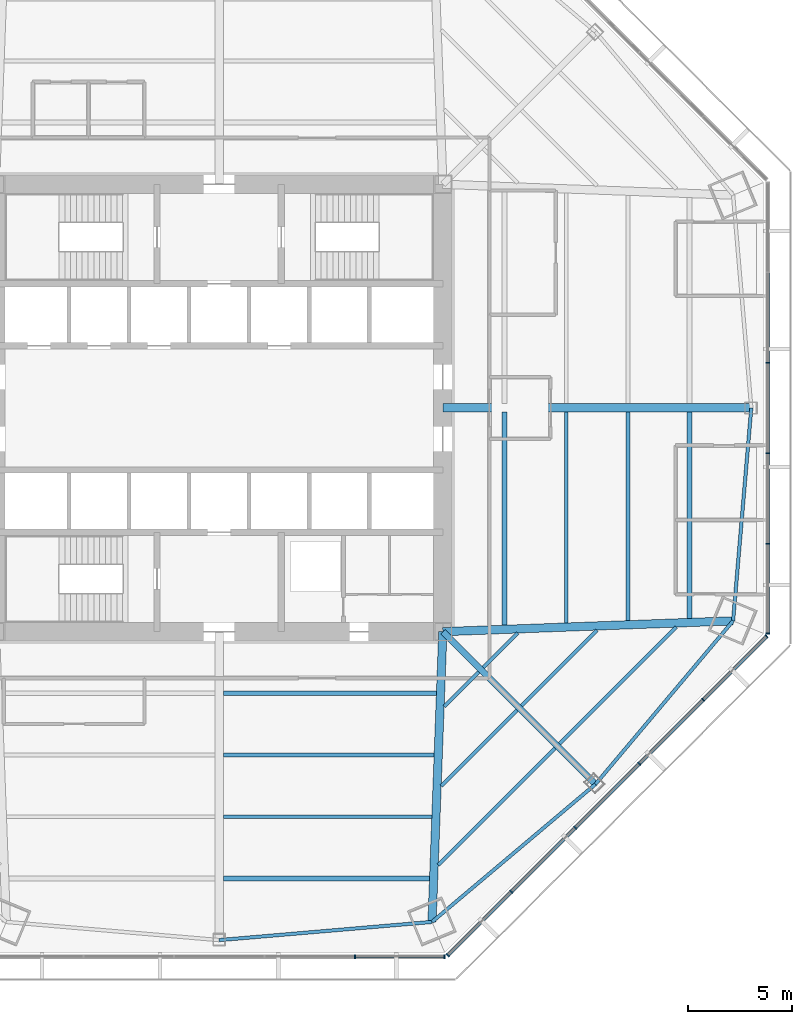
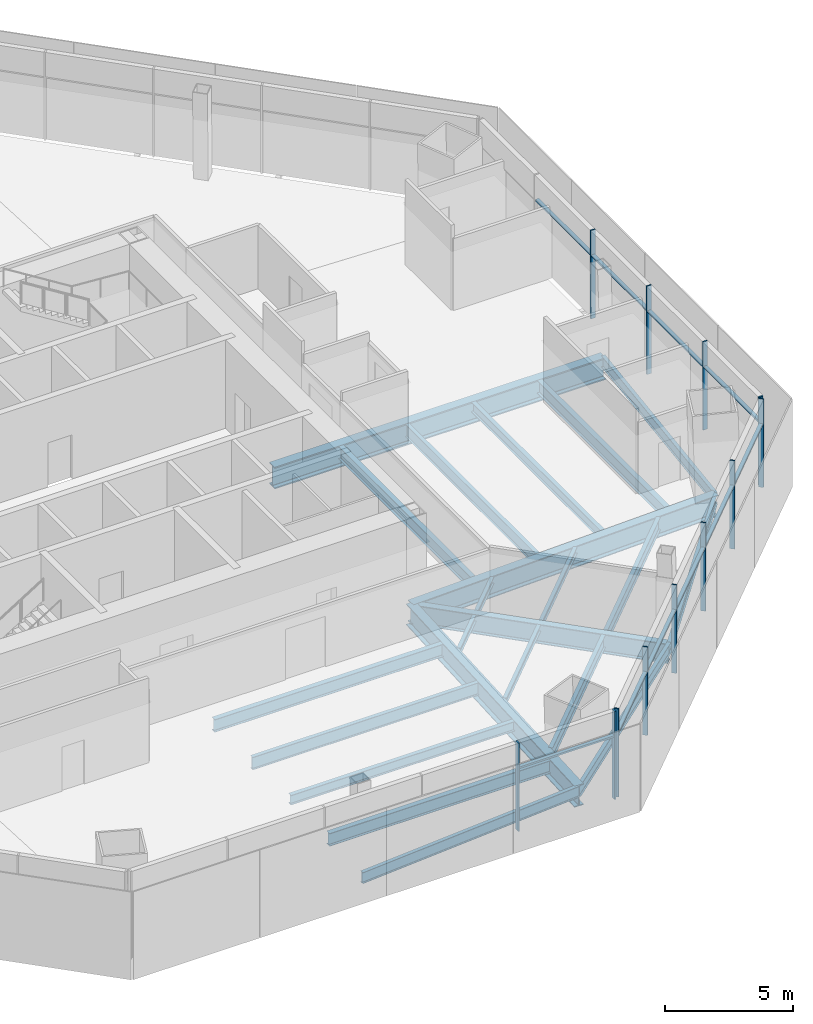
# One storey, part 4 of 14: 22 beams, 22 members, 3 elements without a shape of their own.
"""IFC4 building model written with IfcOpenShell, lengths in metres."""

import ifcopenshell
import ifcopenshell.guid

model = None  # the IFC model being written
_history = None  # IfcOwnerHistory: only IFC2X3 demands one
_inside = {}  # id of a spatial element -> (the spatial element, [elements in it])
_under = {}  # id of a project, library or spatial element -> (it, [spatial elements below it])
_declared = {}  # id of a project -> (the project, [libraries it declares])
_typed = {}  # id of a type object -> (the type object, [elements of that type])
_made_of = {}  # id of a material, layer set ... -> (it, [elements and type objects made of it])


def new_model(schema):
    """Start an empty IFC model of exactly this schema.

    Asked for "IFC4X3", IfcOpenShell would pick the latest addendum, in which some entities
    have other attributes; the version numbers below select the first issue.
    IFC2X3 requires an IfcOwnerHistory on every rooted entity: one is made here for all.
    """
    global model, _history
    if schema == "IFC4X3":
        model = ifcopenshell.file(schema_version=(4, 3, 0, 0))
    else:
        model = ifcopenshell.file(schema=schema)
    _inside.clear()
    _under.clear()
    _declared.clear()
    _typed.clear()
    _made_of.clear()
    _history = None
    if model.schema == "IFC2X3":
        org = make("IfcOrganization", Name="unknown")
        user = make(
            "IfcPersonAndOrganization",
            ThePerson=make("IfcPerson", FamilyName="unknown"),
            TheOrganization=org,
        )
        app = make(
            "IfcApplication",
            ApplicationDeveloper=org,
            Version="unknown",
            ApplicationFullName="unknown",
            ApplicationIdentifier="unknown",
        )
        _history = make(
            "IfcOwnerHistory",
            OwningUser=user,
            OwningApplication=app,
            ChangeAction="ADDED",
            CreationDate=0,
        )
    return model


def make(cls, **values):
    """One entity of the class cls with the attributes given. An attribute that is None is left unset."""
    return model.create_entity(
        cls, **{name: value for name, value in values.items() if value is not None}
    )


def rooted(cls, **values):
    """An entity with a GlobalId (a new one), such as an element, a storey or a relation."""
    return make(cls, GlobalId=ifcopenshell.guid.new(), OwnerHistory=_history, **values)


def si_unit(unit_type, name, prefix=None):
    """IfcSIUnit, for example si_unit("LENGTHUNIT", "METRE", prefix="MILLI")."""
    return make("IfcSIUnit", UnitType=unit_type, Prefix=prefix, Name=name)


def assignment(units):
    """IfcUnitAssignment: the units of a project."""
    return None if units is None else make("IfcUnitAssignment", Units=units)


def point(xyz):
    """IfcCartesianPoint."""
    return None if xyz is None else make("IfcCartesianPoint", Coordinates=xyz)


def direction(xyz):
    """IfcDirection."""
    return None if xyz is None else make("IfcDirection", DirectionRatios=xyz)


def frame(location, z_axis=None, x_axis=None):
    """IfcAxis2Placement3D, a coordinate frame: its origin and axes. An axis left out is left unset."""
    return make(
        "IfcAxis2Placement3D",
        Location=point(location),
        Axis=direction(z_axis),
        RefDirection=direction(x_axis),
    )


def frame_2d(location, x_axis=None):
    """IfcAxis2Placement2D, a coordinate frame in the plane: its origin and x axis."""
    return make(
        "IfcAxis2Placement2D", Location=point(location), RefDirection=direction(x_axis)
    )


def origin():
    """The frame at (0, 0, 0) with its axes left unset."""
    return frame((0.0, 0.0, 0.0))


def origin_2d():
    """The frame at (0, 0) in the plane with its x axis left unset."""
    return frame_2d((0.0, 0.0))


def place(relative_to, where):
    """IfcLocalPlacement: puts the frame where relative to a parent placement (None: the world)."""
    return make(
        "IfcLocalPlacement", PlacementRelTo=relative_to, RelativePlacement=where
    )


def context(
    kind, dimensions, precision=None, world=None, true_north=None, identifier=None
):
    """IfcGeometricRepresentationContext, for example the 3D "Model" context."""
    return make(
        "IfcGeometricRepresentationContext",
        ContextIdentifier=identifier,
        ContextType=kind,
        CoordinateSpaceDimension=dimensions,
        Precision=precision,
        WorldCoordinateSystem=world,
        TrueNorth=true_north,
    )


def subcontext(parent, identifier, kind, view, scale=None):
    """IfcGeometricRepresentationSubContext, for example "Body" below "Model"."""
    return make(
        "IfcGeometricRepresentationSubContext",
        ContextIdentifier=identifier,
        ContextType=kind,
        ParentContext=parent,
        TargetScale=scale,
        TargetView=view,
    )


def project(units=None, contexts=None):
    """IfcProject with its units and contexts."""
    return rooted(
        "IfcProject",
        Name="project",
        RepresentationContexts=contexts,
        UnitsInContext=assignment(units),
    )


def spatial(cls, under=None, at=None, **own):
    """A site, building, storey or space (cls), placed at a placement, below another one or the project."""
    s = rooted(cls, ObjectPlacement=at, **own)
    if under is not None:
        _under.setdefault(under.id(), (under, []))[1].append(s)
    return s


def profile(cls, at=None, kind="AREA", **sizes):
    """A parametric profile (cls). Its sizes go by their IFC names, for example OverallWidth=200.0."""
    return make(cls, ProfileType=kind, Position=at, **sizes)


def rectangle(**sizes):
    """IfcRectangleProfileDef."""
    return profile("IfcRectangleProfileDef", **sizes)


def i_section(**sizes):
    """IfcIShapeProfileDef."""
    return profile("IfcIShapeProfileDef", **sizes)


def extrude(swept, where, along, depth):
    """IfcExtrudedAreaSolid: the profile swept, set in the frame where, extruded along a direction by depth."""
    return make(
        "IfcExtrudedAreaSolid",
        SweptArea=swept,
        Position=where,
        ExtrudedDirection=direction(along),
        Depth=depth,
    )


def shape(context_of_items, identifier, shape_type, items):
    """IfcShapeRepresentation: the items that make up one representation, for example the "Body"."""
    return make(
        "IfcShapeRepresentation",
        ContextOfItems=context_of_items,
        RepresentationIdentifier=identifier,
        RepresentationType=shape_type,
        Items=items,
    )


def source(mapping_origin, context_of_items, identifier, shape_type, items):
    """IfcRepresentationMap: a shape defined once, which mapped items show again and again."""
    return make(
        "IfcRepresentationMap",
        MappingOrigin=mapping_origin,
        MappedRepresentation=shape(context_of_items, identifier, shape_type, items),
    )


def transform(
    local_origin,
    x_axis=None,
    y_axis=None,
    z_axis=None,
    scale=None,
    scale2=None,
    scale3=None,
    uniform=True,
):
    """IfcCartesianTransformationOperator3D, or its non-uniform kind. x_axis, y_axis, z_axis: its Axis1, 2, 3."""
    if uniform:
        return make(
            "IfcCartesianTransformationOperator3D",
            Axis1=direction(x_axis),
            Axis2=direction(y_axis),
            LocalOrigin=point(local_origin),
            Scale=scale,
            Axis3=direction(z_axis),
        )
    return make(
        "IfcCartesianTransformationOperator3DnonUniform",
        Axis1=direction(x_axis),
        Axis2=direction(y_axis),
        LocalOrigin=point(local_origin),
        Scale=scale,
        Axis3=direction(z_axis),
        Scale2=scale2,
        Scale3=scale3,
    )


def mapped(mapping_source, mapping_target):
    """IfcMappedItem: shows the shape of a source again, moved by a transform."""
    return make(
        "IfcMappedItem", MappingSource=mapping_source, MappingTarget=mapping_target
    )


def material(Name=None, Category=None):
    """IfcMaterial."""
    return make("IfcMaterial", Name=Name, Category=Category)


def material_profile(
    of_material, cross_section, Name=None, Category=None, Priority=None
):
    """IfcMaterialProfile: a cross section and its material."""
    return make(
        "IfcMaterialProfile",
        Name=Name,
        Material=of_material,
        Profile=cross_section,
        Priority=Priority,
        Category=Category,
    )


def profile_set(profiles, Name=None, composite=None):
    """IfcMaterialProfileSet."""
    return make(
        "IfcMaterialProfileSet",
        Name=Name,
        MaterialProfiles=profiles,
        CompositeProfile=composite,
    )


def made_of(thing, what):
    """Note that an element or type object is made of a material, layer set ...; save() writes the relation."""
    if what is not None:
        _made_of.setdefault(what.id(), (what, []))[1].append(thing)
    return thing


def type_object(cls, material=None, **own):
    """A type object (cls), such as IfcWallType, which elements share."""
    return made_of(rooted(cls, **own), material)


def type_shapes(of_type, sources):
    """Give a type object the sources (RepresentationMaps) that its elements show as mapped items."""
    of_type.RepresentationMaps = sources


def element(
    cls,
    number,
    at=None,
    inside=None,
    cuts=None,
    type_object=None,
    material=None,
    context=None,
    identifier="Body",
    shape_type=None,
    held_by="IfcProductDefinitionShape",
    body=None,
    shapes=None,
    **own,
):
    """One element of the class cls, such as IfcWall. Its Tag is "e" and its number.

    at: its placement. inside: the storey or other place that contains it. cuts: it is an
    opening in that element (IfcRelVoidsElement). A single representation is given by context,
    identifier, shape_type and body (its items); several are given by shapes. held_by: the class
    of the entity that holds the representations. save() writes the other relations.
    """
    e = rooted(cls, Tag="e%d" % number, ObjectPlacement=at, **own)
    if body is not None:
        shapes = [shape(context, identifier, shape_type, body)]
    if shapes is not None:
        e.Representation = make(held_by, Representations=shapes)
    if inside is not None:
        _inside.setdefault(inside.id(), (inside, []))[1].append(e)
    if cuts is not None:
        rooted(
            "IfcRelVoidsElement", RelatingBuildingElement=cuts, RelatedOpeningElement=e
        )
    if type_object is not None:
        _typed.setdefault(type_object.id(), (type_object, []))[1].append(e)
    return made_of(e, material)


def aggregate(whole, parts):
    """IfcRelAggregates: a whole, such as a stair, and the parts it consists of."""
    return rooted("IfcRelAggregates", RelatingObject=whole, RelatedObjects=parts)


def save(model, path):
    """Write the relations noted so far, then the file.

    IfcRelAggregates (storeys below a building ...), IfcRelContainedInSpatialStructure (elements
    in a storey), IfcRelDefinesByType, IfcRelAssociatesMaterial and IfcRelDeclares: one each for
    every whole, place, type object, material and project.
    """
    for whole, parts in _under.values():
        aggregate(whole, parts)
    for where, things in _inside.values():
        rooted(
            "IfcRelContainedInSpatialStructure",
            RelatedElements=things,
            RelatingStructure=where,
        )
    for kind, things in _typed.values():
        rooted("IfcRelDefinesByType", RelatedObjects=things, RelatingType=kind)
    for what, things in _made_of.values():
        rooted("IfcRelAssociatesMaterial", RelatedObjects=things, RelatingMaterial=what)
    for by, libraries in _declared.values():
        rooted("IfcRelDeclares", RelatingContext=by, RelatedDefinitions=libraries)
    model.write(path)


model = new_model("IFC4")

# Units and contexts
model_context = context("Model", 3, precision=1e-05, world=origin(), true_north=direction((0.0, 1.0)))
body_context = subcontext(model_context, "Body", "Model", "MODEL_VIEW")
ifc_project = project(units=[si_unit("LENGTHUNIT", "METRE"), si_unit("AREAUNIT", "SQUARE_METRE"), si_unit("VOLUMEUNIT", "CUBIC_METRE"), si_unit("PLANEANGLEUNIT", "RADIAN"), si_unit("MASSUNIT", "GRAM", prefix="KILO")], contexts=[model_context])

# Site, building, storey
site_placement = place(None, origin())
site = spatial("IfcSite", under=ifc_project, at=site_placement, CompositionType="ELEMENT")
building_placement = place(site_placement, origin())
building = spatial("IfcBuilding", under=site, at=building_placement, Name="Mashrafa Tower", CompositionType="ELEMENT")
storey_placement = place(building_placement, frame((0.0, 0.0, 54.0)))
storey = spatial("IfcBuildingStorey", under=building, at=storey_placement, Name="L11", CompositionType="ELEMENT", Elevation=54.0)

# Beams
ifc_material_1 = material(Name="Steel ASTM A992", Category="steel")
ifc_material_profile_1 = material_profile(ifc_material_1, i_section(OverallWidth=0.164794921875, OverallDepth=0.309814453125, WebThickness=0.005859375, FlangeThickness=0.009765625, FilletRadius=0.007568359375, at=origin_2d()), Name="W12X26")
ifc_profile_set_1 = profile_set([ifc_material_profile_1], Name="Steel ASTM A992")
beam_type_1 = type_object("IfcBeamType", Name="Beam W12X26", PredefinedType="BEAM", material=ifc_profile_set_1)
beam_1_placement = place(storey_placement, frame((12.532958984375, -12.75048828125, -0.31982421875), z_axis=(-0.707106781187, -0.707106781187, 0.0), x_axis=(0.707106781187, -0.707106781187, 0.0)))
element("IfcBeam", 1, at=beam_1_placement, inside=storey, type_object=beam_type_1, Name="Floor beam L11 040", PredefinedType="BEAM", context=body_context, shape_type="SweptSolid", body=[
    extrude(i_section(OverallWidth=0.164794921875, OverallDepth=0.309814453125, WebThickness=0.005859375, FlangeThickness=0.009765625, FilletRadius=0.007568359375, at=origin_2d()), origin(), (0.0, 0.0, 1.0), 2.357177734375),
])
beam_2_placement = place(storey_placement, frame((14.374755859375, -14.592041015625, -0.31982421875), z_axis=(-0.707106781187, -0.707106781187, 0.0), x_axis=(0.707106781187, -0.707106781187, 0.0)))
element("IfcBeam", 2, at=beam_2_placement, inside=storey, type_object=beam_type_1, Name="Floor beam L11 044", PredefinedType="BEAM", context=body_context, shape_type="SweptSolid", body=[
    extrude(i_section(OverallWidth=0.164794921875, OverallDepth=0.309814453125, WebThickness=0.005859375, FlangeThickness=0.009765625, FilletRadius=0.007568359375, at=origin_2d()), origin(), (0.0, 0.0, 1.0), 5.16357421875),
])
beam_3_placement = place(storey_placement, frame((14.417236328125, -10.8662109375, -0.31982421875), z_axis=(-0.707106781187, -0.707106781187, 0.0), x_axis=(0.707106781187, -0.707106781187, 0.0)))
element("IfcBeam", 3, at=beam_3_placement, inside=storey, type_object=beam_type_1, Name="Floor beam L11 046", PredefinedType="BEAM", context=body_context, shape_type="SweptSolid", body=[
    extrude(i_section(OverallWidth=0.164794921875, OverallDepth=0.309814453125, WebThickness=0.005859375, FlangeThickness=0.009765625, FilletRadius=0.007568359375, at=origin_2d()), origin(), (0.0, 0.0, 1.0), 2.357177734375),
])
beam_4_placement = place(storey_placement, frame((18.2431640625, -10.7236328125, -0.31982421875), z_axis=(-0.707106781187, -0.707106781187, 0.0), x_axis=(0.707106781187, -0.707106781187, 0.0)))
element("IfcBeam", 4, at=beam_4_placement, inside=storey, type_object=beam_type_1, Name="Floor beam L11 051", PredefinedType="BEAM", context=body_context, shape_type="SweptSolid", body=[
    extrude(i_section(OverallWidth=0.164794921875, OverallDepth=0.309814453125, WebThickness=0.005859375, FlangeThickness=0.009765625, FilletRadius=0.007568359375, at=origin_2d()), origin(), (0.0, 0.0, 1.0), 5.16357421875),
])
ifc_material_2 = material(Name="Steel ASTM A992", Category="steel")
ifc_material_profile_2 = material_profile(ifc_material_2, i_section(OverallWidth=0.191162109375, OverallDepth=0.459716796875, WebThickness=0.010009765625, FlangeThickness=0.01611328125, FilletRadius=0.01025390625, at=origin_2d()), Name="W18X55")
ifc_profile_set_2 = profile_set([ifc_material_profile_2], Name="Steel ASTM A992")
beam_type_2 = type_object("IfcBeamType", Name="Beam W18X55", PredefinedType="BEAM", material=ifc_profile_set_2)
for number, where, z_axis, x_axis, name in (
    (5, (10.266357421875, -19.735107421875, -0.394775390625), (-1.0, 0.0, 0.0), (0.0, -1.0, 0.0), "Floor beam L11 035"),
    (6, (19.735107421875, -0.20458984375, -0.394775390625), (0.0, -1.0, 0.0), (1.0, 0.0, 0.0), "Floor beam L11 052"),
):
    element("IfcBeam", number, at=place(storey_placement, frame(where, z_axis=z_axis, x_axis=x_axis)), inside=storey, type_object=beam_type_2, Name=name, PredefinedType="BEAM", context=body_context, shape_type="SweptSolid", body=[
        extrude(i_section(OverallWidth=0.191162109375, OverallDepth=0.459716796875, WebThickness=0.010009765625, FlangeThickness=0.01611328125, FilletRadius=0.01025390625, at=origin_2d()), origin(), (0.0, 0.0, 1.0), 10.061767578125),
    ])
ifc_material_3 = material(Name="Steel ASTM A992", Category="steel")
ifc_material_profile_3 = material_profile(ifc_material_3, i_section(OverallWidth=0.165771484375, OverallDepth=0.5283203125, WebThickness=0.009765625, FlangeThickness=0.013671875, FilletRadius=0.012939453125, at=origin_2d()), Name="W21X50")
ifc_profile_set_3 = profile_set([ifc_material_profile_3], Name="Steel ASTM A992")
beam_type_3 = type_object("IfcBeamType", Name="Beam W21X50", PredefinedType="BEAM", material=ifc_profile_set_3)
beam_5_placement = place(storey_placement, frame((0.0, -25.69189453125, -0.42919921875), z_axis=(0.996369742778, 0.085131284942, 0.0), x_axis=(-0.085131284942, 0.996369742778, 0.0)))
element("IfcBeam", 7, at=beam_5_placement, inside=storey, type_object=beam_type_3, Name="Spandrel beam L11 080", PredefinedType="BEAM", context=body_context, shape_type="SweptSolid", body=[
    extrude(i_section(OverallWidth=0.165771484375, OverallDepth=0.5283203125, WebThickness=0.009765625, FlangeThickness=0.013671875, FilletRadius=0.012939453125, at=origin_2d()), origin(), (0.0, 0.0, 1.0), 10.3154296875),
])
for number, where, z_axis, x_axis, name in (
    (8, (10.278076171875, -24.813720703125, -0.42919921875), (0.764725820256, 0.644355817724, 0.0), (-0.644355817724, 0.764725820256, 0.0), "Spandrel beam L11 082"),
    (9, (18.166748046875, -18.166748046875, -0.42919921875), (0.644355817724, 0.764725820256, 0.0), (-0.764725820256, 0.644355817724, 0.0), "Spandrel beam L11 084"),
):
    element("IfcBeam", number, at=place(storey_placement, frame(where, z_axis=z_axis, x_axis=x_axis)), inside=storey, type_object=beam_type_3, Name=name, PredefinedType="BEAM", context=body_context, shape_type="SweptSolid", body=[
        extrude(i_section(OverallWidth=0.165771484375, OverallDepth=0.5283203125, WebThickness=0.009765625, FlangeThickness=0.013671875, FilletRadius=0.012939453125, at=origin_2d()), origin(), (0.0, 0.0, 1.0), 10.315673828125),
    ])
beam_6_placement = place(storey_placement, frame((24.813720703125, -10.278076171875, -0.42919921875), z_axis=(0.085131284942, 0.996369742778, 0.0), x_axis=(-0.996369742778, 0.085131284942, 0.0)))
element("IfcBeam", 10, at=beam_6_placement, inside=storey, type_object=beam_type_3, Name="Spandrel beam L11 086", PredefinedType="BEAM", context=body_context, shape_type="SweptSolid", body=[
    extrude(i_section(OverallWidth=0.165771484375, OverallDepth=0.5283203125, WebThickness=0.009765625, FlangeThickness=0.013671875, FilletRadius=0.012939453125, at=origin_2d()), origin(), (0.0, 0.0, 1.0), 10.3154296875),
])
ifc_material_4 = material(Name="Steel ASTM A992", Category="steel")
ifc_material_profile_4 = material_profile(ifc_material_4, i_section(OverallWidth=0.177978515625, OverallDepth=0.599365234375, WebThickness=0.010009765625, FlangeThickness=0.012939453125, FilletRadius=0.012939453125, at=origin_2d()), Name="W24X55")
ifc_profile_set_4 = profile_set([ifc_material_profile_4], Name="Steel ASTM A992")
beam_type_4 = type_object("IfcBeamType", Name="Beam W24X55", PredefinedType="BEAM", material=ifc_profile_set_4)
beam_7_placement = place(storey_placement, frame((10.37744140625, -16.756591796875, -0.464599609375), z_axis=(-1.0, 0.0, 0.0), x_axis=(0.0, -1.0, 0.0)))
element("IfcBeam", 11, at=beam_7_placement, inside=storey, type_object=beam_type_4, Name="Floor beam L11 037", PredefinedType="BEAM", context=body_context, shape_type="SweptSolid", body=[
    extrude(i_section(OverallWidth=0.177978515625, OverallDepth=0.599365234375, WebThickness=0.010009765625, FlangeThickness=0.012939453125, FilletRadius=0.012939453125, at=origin_2d()), origin(), (0.0, 0.0, 1.0), 10.1728515625),
])
beam_8_placement = place(storey_placement, frame((16.21630859375, -16.433837890625, -0.464599609375), z_axis=(-0.707106781187, -0.707106781187, 0.0), x_axis=(0.707106781187, -0.707106781187, 0.0)))
element("IfcBeam", 12, at=beam_8_placement, inside=storey, type_object=beam_type_4, Name="Floor beam L11 047", PredefinedType="BEAM", context=body_context, shape_type="SweptSolid", body=[
    extrude(i_section(OverallWidth=0.177978515625, OverallDepth=0.599365234375, WebThickness=0.010009765625, FlangeThickness=0.012939453125, FilletRadius=0.012939453125, at=origin_2d()), origin(), (0.0, 0.0, 1.0), 7.969482421875),
])
beam_9_placement = place(storey_placement, frame((16.756591796875, -0.20458984375, -0.464599609375), z_axis=(0.0, -1.0, 0.0), x_axis=(1.0, 0.0, 0.0)))
element("IfcBeam", 13, at=beam_9_placement, inside=storey, type_object=beam_type_4, Name="Floor beam L11 049", PredefinedType="BEAM", context=body_context, shape_type="SweptSolid", body=[
    extrude(i_section(OverallWidth=0.177978515625, OverallDepth=0.599365234375, WebThickness=0.010009765625, FlangeThickness=0.012939453125, FilletRadius=0.012939453125, at=origin_2d()), origin(), (0.0, 0.0, 1.0), 10.1728515625),
])
beam_10_placement = place(storey_placement, frame((22.069091796875, -10.5810546875, -0.464599609375), z_axis=(-0.707106781187, -0.707106781187, 0.0), x_axis=(0.707106781187, -0.707106781187, 0.0)))
element("IfcBeam", 14, at=beam_10_placement, inside=storey, type_object=beam_type_4, Name="Floor beam L11 054", PredefinedType="BEAM", context=body_context, shape_type="SweptSolid", body=[
    extrude(i_section(OverallWidth=0.177978515625, OverallDepth=0.599365234375, WebThickness=0.010009765625, FlangeThickness=0.012939453125, FilletRadius=0.012939453125, at=origin_2d()), origin(), (0.0, 0.0, 1.0), 7.969482421875),
])
ifc_material_5 = material(Name="Steel ASTM A992", Category="steel")
ifc_material_profile_5 = material_profile(ifc_material_5, i_section(OverallWidth=0.227783203125, OverallDepth=0.60205078125, WebThickness=0.010498046875, FlangeThickness=0.014892578125, FilletRadius=0.012939453125, at=origin_2d()), Name="W24X68")
ifc_profile_set_5 = profile_set([ifc_material_profile_5], Name="Steel ASTM A992")
beam_type_5 = type_object("IfcBeamType", Name="Beam W24X68", PredefinedType="BEAM", material=ifc_profile_set_5)
for number, where, z_axis, x_axis, name in (
    (15, (10.48828125, -13.7783203125, -0.466064453125), (-1.0, 0.0, 0.0), (0.0, -1.0, 0.0), "Floor beam L11 039"),
    (16, (13.7783203125, -0.20458984375, -0.466064453125), (0.0, -1.0, 0.0), (1.0, 0.0, 0.0), "Floor beam L11 042"),
):
    element("IfcBeam", number, at=place(storey_placement, frame(where, z_axis=z_axis, x_axis=x_axis)), inside=storey, type_object=beam_type_5, Name=name, PredefinedType="BEAM", context=body_context, shape_type="SweptSolid", body=[
        extrude(i_section(OverallWidth=0.227783203125, OverallDepth=0.60205078125, WebThickness=0.010498046875, FlangeThickness=0.014892578125, FilletRadius=0.012939453125, at=origin_2d()), origin(), (0.0, 0.0, 1.0), 10.28369140625),
    ])
ifc_material_6 = material(Name="Steel ASTM A992", Category="steel")
ifc_material_profile_6 = material_profile(ifc_material_6, i_section(OverallWidth=0.228271484375, OverallDepth=0.607177734375, WebThickness=0.01123046875, FlangeThickness=0.017333984375, FilletRadius=0.0126953125, at=origin_2d()), Name="W24X76")
ifc_profile_set_6 = profile_set([ifc_material_profile_6], Name="Steel ASTM A992")
beam_type_6 = type_object("IfcBeamType", Name="Beam W24X76", PredefinedType="BEAM", material=ifc_profile_set_6)
for number, where, z_axis, x_axis, name in (
    (17, (10.155517578125, -22.71337890625, -0.468505859375), (-1.0, 0.0, 0.0), (0.0, -1.0, 0.0), "Floor beam L11 033"),
    (18, (22.71337890625, -0.20458984375, -0.468505859375), (0.0, -1.0, 0.0), (1.0, 0.0, 0.0), "Floor beam L11 055"),
):
    element("IfcBeam", number, at=place(storey_placement, frame(where, z_axis=z_axis, x_axis=x_axis)), inside=storey, type_object=beam_type_6, Name=name, PredefinedType="BEAM", context=body_context, shape_type="SweptSolid", body=[
        extrude(i_section(OverallWidth=0.228271484375, OverallDepth=0.607177734375, WebThickness=0.01123046875, FlangeThickness=0.017333984375, FilletRadius=0.0126953125, at=origin_2d()), origin(), (0.0, 0.0, 1.0), 9.950927734375),
    ])
ifc_material_7 = material(Name="Steel ASTM A992", Category="steel")
ifc_material_profile_7 = material_profile(ifc_material_7, i_section(OverallWidth=0.307373046875, OverallDepth=0.927001953125, WebThickness=0.01953125, FlangeThickness=0.031982421875, FilletRadius=0.01904296875, at=origin_2d()), Name="W36X194")
ifc_profile_set_7 = profile_set([ifc_material_profile_7], Name="Steel ASTM A992")
beam_type_7 = type_object("IfcBeamType", Name="Beam W36X194", PredefinedType="BEAM", material=ifc_profile_set_7)
beam_11_placement = place(storey_placement, frame((10.800048828125, -10.800048828125, -0.628662109375), z_axis=(0.707106781187, -0.707106781187, 0.0), x_axis=(0.707106781187, 0.707106781187, 0.0)))
element("IfcBeam", 19, at=beam_11_placement, inside=storey, type_object=beam_type_7, Name="Radial girder L11 067", PredefinedType="BEAM", context=body_context, shape_type="SweptSolid", body=[
    extrude(i_section(OverallWidth=0.307373046875, OverallDepth=0.927001953125, WebThickness=0.01953125, FlangeThickness=0.031982421875, FilletRadius=0.01904296875, at=origin_2d()), origin(), (0.0, 0.0, 1.0), 10.41796875),
])
ifc_material_8 = material(Name="Steel ASTM A992", Category="steel")
ifc_material_profile_8 = material_profile(ifc_material_8, i_section(OverallWidth=0.4013671875, OverallDepth=1.010986328125, WebThickness=0.023681640625, FlangeThickness=0.0419921875, FilletRadius=0.02001953125, at=origin_2d()), Name="W40X297")
ifc_profile_set_8 = profile_set([ifc_material_profile_8], Name="Steel ASTM A992")
beam_type_8 = type_object("IfcBeamType", Name="Beam W40X297", PredefinedType="BEAM", material=ifc_profile_set_8)
for number, where, z_axis, x_axis, name in (
    (20, (10.800048828125, -10.800048828125, -0.67041015625), (-0.037221575701, -0.999307037052, 0.0), (0.999307037052, -0.037221575701, 0.0), "Radial girder L11 066"),
    (21, (10.800048828125, -10.800048828125, -0.67041015625), (0.999307037052, 0.037221575701, 0.0), (-0.037221575701, 0.999307037052, 0.0), "Radial girder L11 068"),
):
    element("IfcBeam", number, at=place(storey_placement, frame(where, z_axis=z_axis, x_axis=x_axis)), inside=storey, type_object=beam_type_8, Name=name, PredefinedType="BEAM", context=body_context, shape_type="SweptSolid", body=[
        extrude(i_section(OverallWidth=0.4013671875, OverallDepth=1.010986328125, WebThickness=0.023681640625, FlangeThickness=0.0419921875, FilletRadius=0.02001953125, at=origin_2d()), origin(), (0.0, 0.0, 1.0), 14.0234375),
    ])
ifc_material_9 = material(Name="Steel ASTM A992", Category="steel")
ifc_material_profile_9 = material_profile(ifc_material_9, i_section(OverallWidth=0.408935546875, OverallDepth=1.04150390625, WebThickness=0.031005859375, FlangeThickness=0.055908203125, FilletRadius=0.020263671875, at=origin_2d()), Name="W40X397")
ifc_profile_set_9 = profile_set([ifc_material_profile_9], Name="Steel ASTM A992")
beam_type_9 = type_object("IfcBeamType", Name="Beam W40X397", PredefinedType="BEAM", material=ifc_profile_set_9)
beam_12_placement = place(storey_placement, frame((10.800048828125, 0.0, -0.685791015625), z_axis=(1.0, 0.0, 0.0), x_axis=(0.0, 1.0, 0.0)))
element("IfcBeam", 22, at=beam_12_placement, inside=storey, type_object=beam_type_9, Name="Radial girder L11 069", PredefinedType="BEAM", context=body_context, shape_type="SweptSolid", body=[
    extrude(i_section(OverallWidth=0.408935546875, OverallDepth=1.04150390625, WebThickness=0.031005859375, FlangeThickness=0.055908203125, FilletRadius=0.020263671875, at=origin_2d()), origin(), (0.0, 0.0, 1.0), 14.891845703125),
])

# Curtain wall, members
ifc_material_10 = material(Name="Unitised aluminium curtain wall", Category="aluminium")
curtain_wall_type = type_object("IfcCurtainWallType", Name="Office curtain wall, zone 1 CW-A 200 deep", PredefinedType="NOTDEFINED", material=ifc_material_10)
curtain_wall_1_placement = place(storey_placement, origin())
curtain_wall_1 = element("IfcCurtainWall", 23, at=curtain_wall_1_placement, inside=storey, type_object=curtain_wall_type, Name="Office curtain wall, zone 1 L11 east", PredefinedType="NOTDEFINED")
ifc_material_11 = material(Name="Extruded aluminium mullion", Category="aluminium")
ifc_material_profile_10 = material_profile(ifc_material_11, rectangle(XDim=0.199951171875, YDim=0.06494140625, at=origin_2d()), Name="Mullion 65x200")
ifc_profile_set_10 = profile_set([ifc_material_profile_10], Name="Extruded aluminium mullion")
member_type_1 = type_object("IfcMemberType", Name="Mullion CW-A 65 x 200", PredefinedType="MULLION", material=ifc_profile_set_10)
shared_shape_1 = source(origin(), body_context, "Body", "SweptSolid", [
    extrude(rectangle(XDim=0.199951171875, YDim=0.06494140625, at=origin_2d()), origin(), (0.0, 0.0, 1.0), 4.199951171875),
])
type_shapes(member_type_1, [shared_shape_1])
member_1_placement = place(storey_placement, frame((26.487060546875, -10.887451171875, 0.0), z_axis=(0.0, 0.0, 1.0), x_axis=(-1.0, 0.0, 0.0)))
member_1 = element("IfcMember", 24, at=member_1_placement, type_object=member_type_1, Name="CW-A mullion 1", PredefinedType="MULLION", context=body_context, shape_type="MappedRepresentation", body=[
    mapped(shared_shape_1, transform((0.0, 0.0, 0.0))),
])
member_2_placement = place(storey_placement, frame((26.487060546875, -6.552001953125, 0.0), z_axis=(0.0, 0.0, 1.0), x_axis=(-1.0, 0.0, 0.0)))
member_2 = element("IfcMember", 25, at=member_2_placement, type_object=member_type_1, Name="CW-A mullion 2", PredefinedType="MULLION", context=body_context, shape_type="MappedRepresentation", body=[
    mapped(shared_shape_1, transform((0.0, 0.0, 0.0))),
])
member_3_placement = place(storey_placement, frame((26.487060546875, -2.18408203125, 0.0), z_axis=(0.0, 0.0, 1.0), x_axis=(-1.0, 0.0, 0.0)))
member_3 = element("IfcMember", 26, at=member_3_placement, type_object=member_type_1, Name="CW-A mullion 3", PredefinedType="MULLION", context=body_context, shape_type="MappedRepresentation", body=[
    mapped(shared_shape_1, transform((0.0, 0.0, 0.0))),
])
member_4_placement = place(storey_placement, frame((26.487060546875, 2.18408203125, 0.0), z_axis=(0.0, 0.0, 1.0), x_axis=(-1.0, 0.0, 0.0)))
member_4 = element("IfcMember", 27, at=member_4_placement, type_object=member_type_1, Name="CW-A mullion 4", PredefinedType="MULLION", context=body_context, shape_type="MappedRepresentation", body=[
    mapped(shared_shape_1, transform((0.0, 0.0, 0.0))),
])

curtain_wall_2_placement = place(storey_placement, origin())
curtain_wall_2 = element("IfcCurtainWall", 28, at=curtain_wall_2_placement, inside=storey, type_object=curtain_wall_type, Name="Office curtain wall, zone 1 L11 south", PredefinedType="NOTDEFINED")
member_5_placement = place(storey_placement, frame((6.552001953125, -26.487060546875, 0.0), z_axis=(0.0, 0.0, 1.0), x_axis=(0.0, 1.0, 0.0)))
member_5 = element("IfcMember", 29, at=member_5_placement, type_object=member_type_1, Name="CW-A mullion 5", PredefinedType="MULLION", context=body_context, shape_type="MappedRepresentation", body=[
    mapped(shared_shape_1, transform((0.0, 0.0, 0.0))),
])
member_6_placement = place(storey_placement, frame((10.887451171875, -26.487060546875, 0.0), z_axis=(0.0, 0.0, 1.0), x_axis=(0.0, 1.0, 0.0)))
member_6 = element("IfcMember", 30, at=member_6_placement, type_object=member_type_1, Name="CW-A mullion 6", PredefinedType="MULLION", context=body_context, shape_type="MappedRepresentation", body=[
    mapped(shared_shape_1, transform((0.0, 0.0, 0.0))),
])

curtain_wall_3_placement = place(storey_placement, origin())
curtain_wall_3 = element("IfcCurtainWall", 31, at=curtain_wall_3_placement, inside=storey, type_object=curtain_wall_type, Name="Office curtain wall, zone 1 L11 south-east", PredefinedType="NOTDEFINED")
member_7_placement = place(storey_placement, frame((11.03076171875, -26.427734375, 0.0), z_axis=(0.0, 0.0, 1.0), x_axis=(-0.707106781187, 0.707106781187, 0.0)))
member_7 = element("IfcMember", 32, at=member_7_placement, type_object=member_type_1, Name="CW-A mullion 1", PredefinedType="MULLION", context=body_context, shape_type="MappedRepresentation", body=[
    mapped(shared_shape_1, transform((0.0, 0.0, 0.0))),
])
member_8_placement = place(storey_placement, frame((14.09619140625, -23.362060546875, 0.0), z_axis=(0.0, 0.0, 1.0), x_axis=(-0.707106781187, 0.707106781187, 0.0)))
member_8 = element("IfcMember", 33, at=member_8_placement, type_object=member_type_1, Name="CW-A mullion 2", PredefinedType="MULLION", context=body_context, shape_type="MappedRepresentation", body=[
    mapped(shared_shape_1, transform((0.0, 0.0, 0.0))),
])
member_9_placement = place(storey_placement, frame((17.184814453125, -20.2734375, 0.0), z_axis=(0.0, 0.0, 1.0), x_axis=(-0.707106781187, 0.707106781187, 0.0)))
member_9 = element("IfcMember", 34, at=member_9_placement, type_object=member_type_1, Name="CW-A mullion 3", PredefinedType="MULLION", context=body_context, shape_type="MappedRepresentation", body=[
    mapped(shared_shape_1, transform((0.0, 0.0, 0.0))),
])
member_10_placement = place(storey_placement, frame((20.2734375, -17.184814453125, 0.0), z_axis=(0.0, 0.0, 1.0), x_axis=(-0.707106781187, 0.707106781187, 0.0)))
member_10 = element("IfcMember", 35, at=member_10_placement, type_object=member_type_1, Name="CW-A mullion 4", PredefinedType="MULLION", context=body_context, shape_type="MappedRepresentation", body=[
    mapped(shared_shape_1, transform((0.0, 0.0, 0.0))),
])
member_11_placement = place(storey_placement, frame((23.362060546875, -14.09619140625, 0.0), z_axis=(0.0, 0.0, 1.0), x_axis=(-0.707106781187, 0.707106781187, 0.0)))
member_11 = element("IfcMember", 36, at=member_11_placement, type_object=member_type_1, Name="CW-A mullion 5", PredefinedType="MULLION", context=body_context, shape_type="MappedRepresentation", body=[
    mapped(shared_shape_1, transform((0.0, 0.0, 0.0))),
])
member_12_placement = place(storey_placement, frame((26.427734375, -11.03076171875, 0.0), z_axis=(0.0, 0.0, 1.0), x_axis=(-0.707106781187, 0.707106781187, 0.0)))
member_12 = element("IfcMember", 37, at=member_12_placement, type_object=member_type_1, Name="CW-A mullion 6", PredefinedType="MULLION", context=body_context, shape_type="MappedRepresentation", body=[
    mapped(shared_shape_1, transform((0.0, 0.0, 0.0))),
])

# Member
ifc_material_12 = material(Name="Extruded aluminium transom", Category="aluminium")
ifc_material_profile_11 = material_profile(ifc_material_12, rectangle(XDim=0.159912109375, YDim=0.080078125, at=origin_2d()), Name="Transom 80x160")
ifc_profile_set_11 = profile_set([ifc_material_profile_11], Name="Extruded aluminium transom")
member_type_2 = type_object("IfcMemberType", Name="Transom CW-A 80 x 160", PredefinedType="MULLION", material=ifc_profile_set_11)
shared_shape_2 = source(origin(), body_context, "Body", "SweptSolid", [
    extrude(rectangle(XDim=0.159912109375, YDim=0.080078125, at=origin_2d()), origin(), (0.0, 0.0, 1.0), 4.2705078125),
])
member_13_placement = place(storey_placement, frame((26.487060546875, -10.85498046875, 3.0), z_axis=(0.0, 1.0, 0.0), x_axis=(-1.0, 0.0, 0.0)))
member_13 = element("IfcMember", 38, at=member_13_placement, type_object=member_type_2, Name="CW-A transom 1", PredefinedType="MULLION", context=body_context, shape_type="MappedRepresentation", body=[
    mapped(shared_shape_2, transform((0.0, 0.0, 0.0))),
])

member_14_placement = place(storey_placement, frame((6.58447265625, -26.487060546875, 3.0), z_axis=(1.0, 0.0, 0.0), x_axis=(0.0, 1.0, 0.0)))
member_14 = element("IfcMember", 39, at=member_14_placement, type_object=member_type_2, Name="CW-A transom 5", PredefinedType="MULLION", context=body_context, shape_type="MappedRepresentation", body=[
    mapped(shared_shape_2, transform((0.0, 0.0, 0.0))),
])

aggregate(curtain_wall_2, [member_5, member_6, member_14])

shared_shape_3 = source(origin(), body_context, "Body", "SweptSolid", [
    extrude(rectangle(XDim=0.159912109375, YDim=0.080078125, at=origin_2d()), origin(), (0.0, 0.0, 1.0), 4.302978515625),
])
member_15_placement = place(storey_placement, frame((26.487060546875, -6.51953125, 3.0), z_axis=(0.0, 1.0, 0.0), x_axis=(-1.0, 0.0, 0.0)))
member_15 = element("IfcMember", 40, at=member_15_placement, type_object=member_type_2, Name="CW-A transom 2", PredefinedType="MULLION", context=body_context, shape_type="MappedRepresentation", body=[
    mapped(shared_shape_3, transform((0.0, 0.0, 0.0))),
])

member_16_placement = place(storey_placement, frame((26.487060546875, 2.216552734375, 3.0), z_axis=(0.0, 1.0, 0.0), x_axis=(-1.0, 0.0, 0.0)))
member_16 = element("IfcMember", 41, at=member_16_placement, type_object=member_type_2, Name="CW-A transom 4", PredefinedType="MULLION", context=body_context, shape_type="MappedRepresentation", body=[
    mapped(shared_shape_3, transform((0.0, 0.0, 0.0))),
])

shared_shape_4 = source(origin(), body_context, "Body", "SweptSolid", [
    extrude(rectangle(XDim=0.159912109375, YDim=0.080078125, at=origin_2d()), origin(), (0.0, 0.0, 1.0), 4.302734375),
])
member_17_placement = place(storey_placement, frame((26.487060546875, -2.1513671875, 3.0), z_axis=(0.0, 1.0, 0.0), x_axis=(-1.0, 0.0, 0.0)))
member_17 = element("IfcMember", 42, at=member_17_placement, type_object=member_type_2, Name="CW-A transom 3", PredefinedType="MULLION", context=body_context, shape_type="MappedRepresentation", body=[
    mapped(shared_shape_4, transform((0.0, 0.0, 0.0))),
])

aggregate(curtain_wall_1, [member_1, member_2, member_3, member_4, member_13, member_15, member_17, member_16])

member_18_placement = place(storey_placement, frame((14.119384765625, -23.339111328125, 3.0), z_axis=(0.707106781187, 0.707106781187, 0.0), x_axis=(-0.707106781187, 0.707106781187, 0.0)))
member_18 = element("IfcMember", 43, at=member_18_placement, type_object=member_type_2, Name="CW-A transom 2", PredefinedType="MULLION", context=body_context, shape_type="MappedRepresentation", body=[
    mapped(shared_shape_4, transform((0.0, 0.0, 0.0))),
])

member_19_placement = place(storey_placement, frame((17.2080078125, -20.25048828125, 3.0), z_axis=(0.707106781187, 0.707106781187, 0.0), x_axis=(-0.707106781187, 0.707106781187, 0.0)))
member_19 = element("IfcMember", 44, at=member_19_placement, type_object=member_type_2, Name="CW-A transom 3", PredefinedType="MULLION", context=body_context, shape_type="MappedRepresentation", body=[
    mapped(shared_shape_4, transform((0.0, 0.0, 0.0))),
])

member_20_placement = place(storey_placement, frame((20.296630859375, -17.161865234375, 3.0), z_axis=(0.707106781187, 0.707106781187, 0.0), x_axis=(-0.707106781187, 0.707106781187, 0.0)))
member_20 = element("IfcMember", 45, at=member_20_placement, type_object=member_type_2, Name="CW-A transom 4", PredefinedType="MULLION", context=body_context, shape_type="MappedRepresentation", body=[
    mapped(shared_shape_4, transform((0.0, 0.0, 0.0))),
])

shared_shape_5 = source(origin(), body_context, "Body", "SweptSolid", [
    extrude(rectangle(XDim=0.159912109375, YDim=0.080078125, at=origin_2d()), origin(), (0.0, 0.0, 1.0), 4.270263671875),
])
type_shapes(member_type_2, [shared_shape_2, shared_shape_3, shared_shape_4, shared_shape_5])
member_21_placement = place(storey_placement, frame((11.0537109375, -26.40478515625, 3.0), z_axis=(0.707106781187, 0.707106781187, 0.0), x_axis=(-0.707106781187, 0.707106781187, 0.0)))
member_21 = element("IfcMember", 46, at=member_21_placement, type_object=member_type_2, Name="CW-A transom 1", PredefinedType="MULLION", context=body_context, shape_type="MappedRepresentation", body=[
    mapped(shared_shape_5, transform((0.0, 0.0, 0.0))),
])

member_22_placement = place(storey_placement, frame((23.38525390625, -14.0732421875, 3.0), z_axis=(0.707106781187, 0.707106781187, 0.0), x_axis=(-0.707106781187, 0.707106781187, 0.0)))
member_22 = element("IfcMember", 47, at=member_22_placement, type_object=member_type_2, Name="CW-A transom 5", PredefinedType="MULLION", context=body_context, shape_type="MappedRepresentation", body=[
    mapped(shared_shape_5, transform((0.0, 0.0, 0.0))),
])

aggregate(curtain_wall_3, [member_7, member_8, member_9, member_10, member_11, member_12, member_21, member_18, member_19, member_20, member_22])

save(model, "model.ifc")
